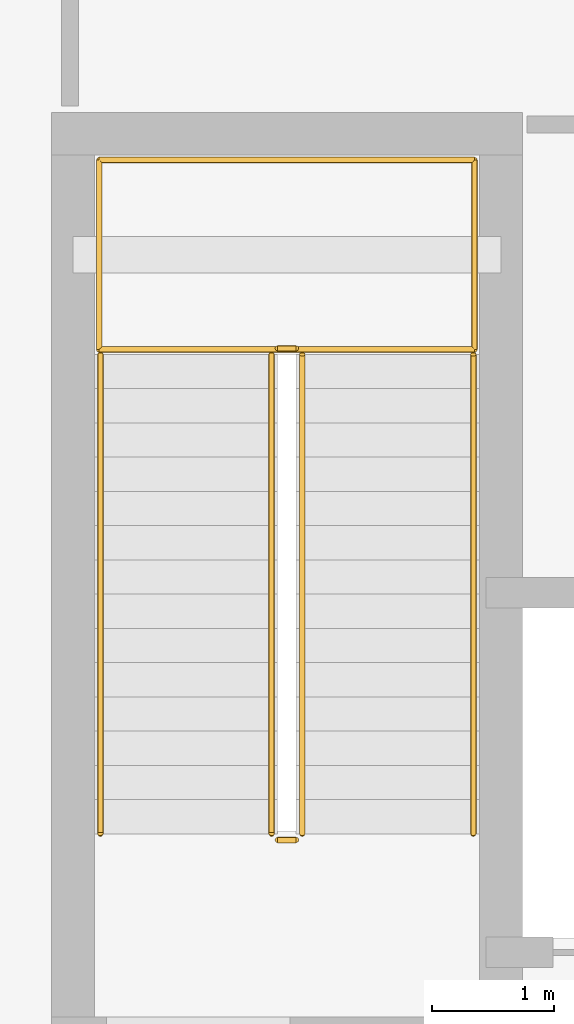
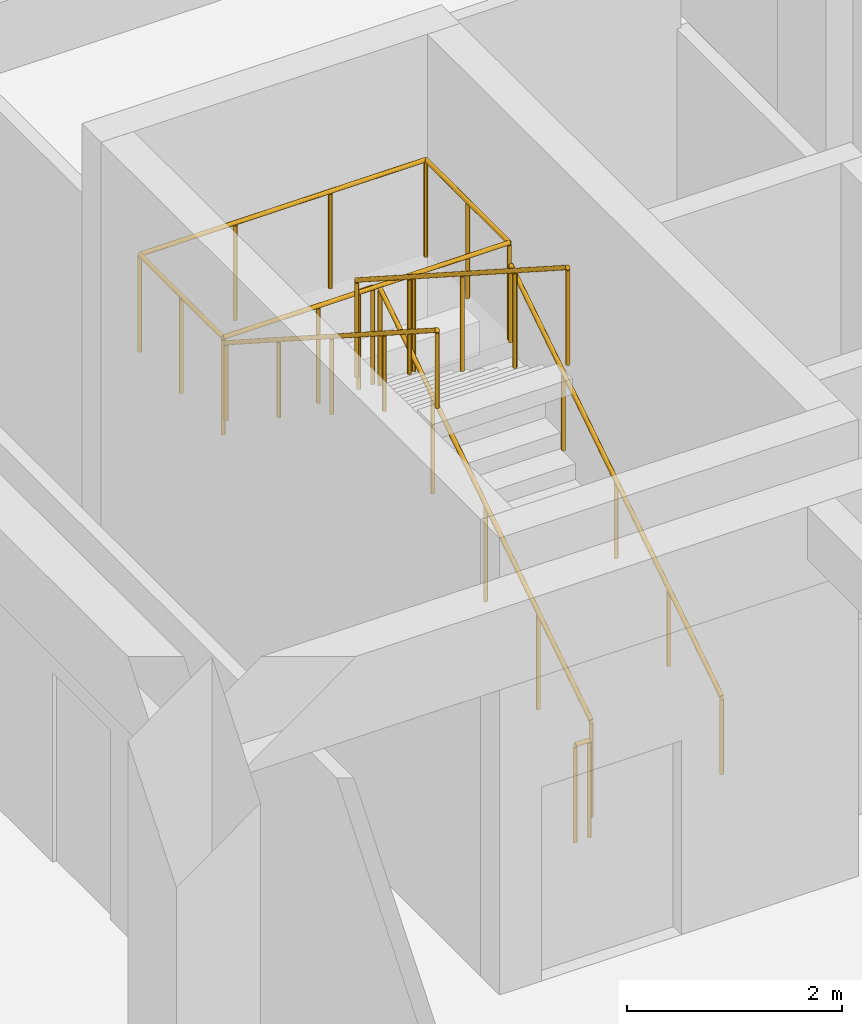
# One storey, part 65 of 70: 8 railings.
"""IFC4 building model written with IfcOpenShell, lengths in metres."""

from ifc_helpers import new_model, si_unit, direction, frame, origin, origin_2d, place, context, subcontext, project, spatial, circle, extrude, material, type_object, element, save


model = new_model("IFC4")

# Units and contexts
model_context = context("Model", 3, precision=1e-05, world=origin(), true_north=direction((0.0, 1.0)))
body_context = subcontext(model_context, "Body", "Model", "MODEL_VIEW")
ifc_project = project(units=[si_unit("LENGTHUNIT", "METRE"), si_unit("AREAUNIT", "SQUARE_METRE"), si_unit("VOLUMEUNIT", "CUBIC_METRE"), si_unit("PLANEANGLEUNIT", "RADIAN"), si_unit("MASSUNIT", "GRAM", prefix="KILO")], contexts=[model_context])

# Site, building, storey
site_placement = place(None, origin())
site = spatial("IfcSite", under=ifc_project, at=site_placement, CompositionType="ELEMENT")
building_placement = place(site_placement, origin())
building = spatial("IfcBuilding", under=site, at=building_placement, Name="Miralva Faculty of Natural Sciences", CompositionType="ELEMENT")
storey_placement = place(building_placement, origin())
storey = spatial("IfcBuildingStorey", under=building, at=storey_placement, Name="L00", CompositionType="ELEMENT", Elevation=0.0)

# Railings
ifc_material = material(Name="Steel S355", Category="steel")
railing_type_1 = type_object("IfcRailingType", Name="RL-GR01", PredefinedType="GUARDRAIL", material=ifc_material)
railing_1_placement = place(storey_placement, frame((15.300048828125, 67.89990234375, 0.179931640625)))
element("IfcRailing", 1, at=railing_1_placement, inside=storey, type_object=railing_type_1, Name="Stair Core C2 safety guard L00-1", PredefinedType="GUARDRAIL", context=body_context, shape_type="SweptSolid", body=[
    extrude(circle(Radius=0.02392578125, at=origin_2d()), frame((0.0, 0.0, 1.09619140625), z_axis=(0.0, 0.841186985886, 0.540744352514), x_axis=(-1.0, 0.0, 0.0)), (0.0, 0.0, 1.0), 4.660400390625),
    extrude(circle(Radius=0.02099609375, at=origin_2d()), origin(), (0.0, 0.0, 1.0), 1.072021484375),
    extrude(circle(Radius=0.02099609375, at=origin_2d()), frame((0.0, 0.97998046875, 0.6298828125)), (0.0, 0.0, 1.0), 1.072021484375),
    extrude(circle(Radius=0.02099609375, at=origin_2d()), frame((0.0, 1.9599609375, 1.260009765625)), (0.0, 0.0, 1.0), 1.072021484375),
    extrude(circle(Radius=0.02099609375, at=origin_2d()), frame((0.0, 2.940185546875, 1.89013671875)), (0.0, 0.0, 1.0), 1.072021484375),
    extrude(circle(Radius=0.02099609375, at=origin_2d()), frame((0.0, 3.920166015625, 2.52001953125)), (0.0, 0.0, 1.0), 1.072021484375),
])
railing_2_placement = place(storey_placement, frame((15.25, 71.8701171875, 2.699951171875)))
element("IfcRailing", 2, at=railing_2_placement, inside=storey, type_object=railing_type_1, Name="Stair Core C2 safety guard L00-2", PredefinedType="GUARDRAIL", context=body_context, shape_type="SweptSolid", body=[
    extrude(circle(Radius=0.02392578125, at=origin_2d()), frame((0.0, 0.0, 1.09619140625), z_axis=(-1.0, 0.0, 0.0), x_axis=(0.0, -1.0, 0.0)), (0.0, 0.0, 1.0), 0.14990234375),
    extrude(circle(Radius=0.02099609375, at=origin_2d()), origin(), (0.0, 0.0, 1.0), 1.072021484375),
    extrude(circle(Radius=0.02099609375, at=origin_2d()), frame((-0.14990234375, 0.0, 0.0)), (0.0, 0.0, 1.0), 1.072021484375),
])
railing_3_placement = place(storey_placement, frame((15.050048828125, 71.820068359375, 2.8798828125)))
element("IfcRailing", 3, at=railing_3_placement, inside=storey, type_object=railing_type_1, Name="Stair Core C2 safety guard L00-3", PredefinedType="GUARDRAIL", context=body_context, shape_type="SweptSolid", body=[
    extrude(circle(Radius=0.02392578125, at=origin_2d()), frame((0.0, 0.0, 1.09619140625), z_axis=(0.0, -0.841186985886, 0.540744352514), x_axis=(1.0, 0.0, 0.0)), (0.0, 0.0, 1.0), 4.660400390625),
    extrude(circle(Radius=0.02099609375, at=origin_2d()), origin(), (0.0, 0.0, 1.0), 1.072021484375),
    extrude(circle(Radius=0.02099609375, at=origin_2d()), frame((0.0, -0.97998046875, 0.6298828125)), (0.0, 0.0, 1.0), 1.072021484375),
    extrude(circle(Radius=0.02099609375, at=origin_2d()), frame((0.0, -1.9599609375, 1.260009765625)), (0.0, 0.0, 1.0), 1.072021484375),
    extrude(circle(Radius=0.02099609375, at=origin_2d()), frame((0.0, -2.940185546875, 1.89013671875)), (0.0, 0.0, 1.0), 1.072021484375),
    extrude(circle(Radius=0.02099609375, at=origin_2d()), frame((0.0, -3.920166015625, 2.52001953125)), (0.0, 0.0, 1.0), 1.072021484375),
])
railing_4_placement = place(storey_placement, frame((15.25, 67.85009765625, 0.0)))
element("IfcRailing", 4, at=railing_4_placement, inside=storey, type_object=railing_type_1, Name="Stair Core C2 safety guard L00-4", PredefinedType="GUARDRAIL", context=body_context, shape_type="SweptSolid", body=[
    extrude(circle(Radius=0.02392578125, at=origin_2d()), frame((0.0, 0.0, 1.09619140625), z_axis=(-1.0, 0.0, 0.0), x_axis=(0.0, -1.0, 0.0)), (0.0, 0.0, 1.0), 0.14990234375),
    extrude(circle(Radius=0.02099609375, at=origin_2d()), origin(), (0.0, 0.0, 1.0), 1.072021484375),
    extrude(circle(Radius=0.02099609375, at=origin_2d()), frame((-0.14990234375, 0.0, 0.0)), (0.0, 0.0, 1.0), 1.072021484375),
])
railing_5_placement = place(storey_placement, frame((13.639892578125, 71.860107421875, 2.699951171875)))
element("IfcRailing", 5, at=railing_5_placement, inside=storey, type_object=railing_type_1, Name="Stair Core C2 half-landing guard L00-1A", PredefinedType="GUARDRAIL", context=body_context, shape_type="SweptSolid", body=[
    extrude(circle(Radius=0.02392578125, at=origin_2d()), frame((0.0, 0.0, 1.09619140625), z_axis=(0.0, 1.0, 0.0), x_axis=(-1.0, 0.0, 0.0)), (0.0, 0.0, 1.0), 1.5498046875),
    extrude(circle(Radius=0.02392578125, at=origin_2d()), frame((0.0, 1.5498046875, 1.09619140625), z_axis=(1.0, 0.0, 0.0), x_axis=(0.0, 1.0, 0.0)), (0.0, 0.0, 1.0), 3.070068359375),
    extrude(circle(Radius=0.02099609375, at=origin_2d()), origin(), (0.0, 0.0, 1.0), 1.072021484375),
    extrude(circle(Radius=0.02099609375, at=origin_2d()), frame((0.0, 0.77490234375, 0.0)), (0.0, 0.0, 1.0), 1.072021484375),
    extrude(circle(Radius=0.02099609375, at=origin_2d()), frame((0.0, 1.5498046875, 0.0)), (0.0, 0.0, 1.0), 1.072021484375),
    extrude(circle(Radius=0.02099609375, at=origin_2d()), frame((1.0234375, 1.5498046875, 0.0)), (0.0, 0.0, 1.0), 1.072021484375),
    extrude(circle(Radius=0.02099609375, at=origin_2d()), frame((2.046630859375, 1.5498046875, 0.0)), (0.0, 0.0, 1.0), 1.072021484375),
    extrude(circle(Radius=0.02099609375, at=origin_2d()), frame((3.070068359375, 1.5498046875, 0.0)), (0.0, 0.0, 1.0), 1.072021484375),
])
railing_6_placement = place(storey_placement, frame((16.7099609375, 73.409912109375, 2.699951171875)))
element("IfcRailing", 6, at=railing_6_placement, inside=storey, type_object=railing_type_1, Name="Stair Core C2 half-landing guard L00-1B", PredefinedType="GUARDRAIL", context=body_context, shape_type="SweptSolid", body=[
    extrude(circle(Radius=0.02392578125, at=origin_2d()), frame((0.0, 0.0, 1.09619140625), z_axis=(0.0, -1.0, 0.0), x_axis=(1.0, 0.0, 0.0)), (0.0, 0.0, 1.0), 1.5498046875),
    extrude(circle(Radius=0.02392578125, at=origin_2d()), frame((0.0, -1.5498046875, 1.09619140625), z_axis=(-1.0, 0.0, 0.0), x_axis=(0.0, -1.0, 0.0)), (0.0, 0.0, 1.0), 3.070068359375),
    extrude(circle(Radius=0.02099609375, at=origin_2d()), origin(), (0.0, 0.0, 1.0), 1.072021484375),
    extrude(circle(Radius=0.02099609375, at=origin_2d()), frame((0.0, -0.77490234375, 0.0)), (0.0, 0.0, 1.0), 1.072021484375),
    extrude(circle(Radius=0.02099609375, at=origin_2d()), frame((0.0, -1.5498046875, 0.0)), (0.0, 0.0, 1.0), 1.072021484375),
    extrude(circle(Radius=0.02099609375, at=origin_2d()), frame((-1.0234375, -1.5498046875, 0.0)), (0.0, 0.0, 1.0), 1.072021484375),
    extrude(circle(Radius=0.02099609375, at=origin_2d()), frame((-2.046630859375, -1.5498046875, 0.0)), (0.0, 0.0, 1.0), 1.072021484375),
    extrude(circle(Radius=0.02099609375, at=origin_2d()), frame((-3.070068359375, -1.5498046875, 0.0)), (0.0, 0.0, 1.0), 1.072021484375),
])
railing_type_2 = type_object("IfcRailingType", Name="RL-HR01", PredefinedType="HANDRAIL", material=ifc_material)
railing_7_placement = place(storey_placement, frame((16.699951171875, 67.89990234375, 0.179931640625)))
element("IfcRailing", 7, at=railing_7_placement, inside=storey, type_object=railing_type_2, Name="Stair Core C2 handrail L00-1", PredefinedType="HANDRAIL", context=body_context, shape_type="SweptSolid", body=[
    extrude(circle(Radius=0.02392578125, at=origin_2d()), frame((0.0, 0.0, 0.8759765625), z_axis=(0.0, 0.841186985886, 0.540744352514), x_axis=(-1.0, 0.0, 0.0)), (0.0, 0.0, 1.0), 4.660400390625),
    extrude(circle(Radius=0.02099609375, at=origin_2d()), origin(), (0.0, 0.0, 1.0), 0.851806640625),
    extrude(circle(Radius=0.02099609375, at=origin_2d()), frame((0.0, 0.97998046875, 0.6298828125)), (0.0, 0.0, 1.0), 0.851806640625),
    extrude(circle(Radius=0.02099609375, at=origin_2d()), frame((0.0, 1.9599609375, 1.260009765625)), (0.0, 0.0, 1.0), 0.851806640625),
    extrude(circle(Radius=0.02099609375, at=origin_2d()), frame((0.0, 2.940185546875, 1.89013671875)), (0.0, 0.0, 1.0), 0.851806640625),
    extrude(circle(Radius=0.02099609375, at=origin_2d()), frame((0.0, 3.920166015625, 2.52001953125)), (0.0, 0.0, 1.0), 0.851806640625),
])
railing_8_placement = place(storey_placement, frame((13.64990234375, 71.820068359375, 2.8798828125)))
element("IfcRailing", 8, at=railing_8_placement, inside=storey, type_object=railing_type_2, Name="Stair Core C2 handrail L00-2", PredefinedType="HANDRAIL", context=body_context, shape_type="SweptSolid", body=[
    extrude(circle(Radius=0.02392578125, at=origin_2d()), frame((0.0, 0.0, 0.8759765625), z_axis=(0.0, -0.841186985886, 0.540744352514), x_axis=(1.0, 0.0, 0.0)), (0.0, 0.0, 1.0), 4.660400390625),
    extrude(circle(Radius=0.02099609375, at=origin_2d()), origin(), (0.0, 0.0, 1.0), 0.851806640625),
    extrude(circle(Radius=0.02099609375, at=origin_2d()), frame((0.0, -0.97998046875, 0.6298828125)), (0.0, 0.0, 1.0), 0.851806640625),
    extrude(circle(Radius=0.02099609375, at=origin_2d()), frame((0.0, -1.9599609375, 1.260009765625)), (0.0, 0.0, 1.0), 0.851806640625),
    extrude(circle(Radius=0.02099609375, at=origin_2d()), frame((0.0, -2.940185546875, 1.89013671875)), (0.0, 0.0, 1.0), 0.851806640625),
    extrude(circle(Radius=0.02099609375, at=origin_2d()), frame((0.0, -3.920166015625, 2.52001953125)), (0.0, 0.0, 1.0), 0.851806640625),
])

save(model, "model.ifc")
